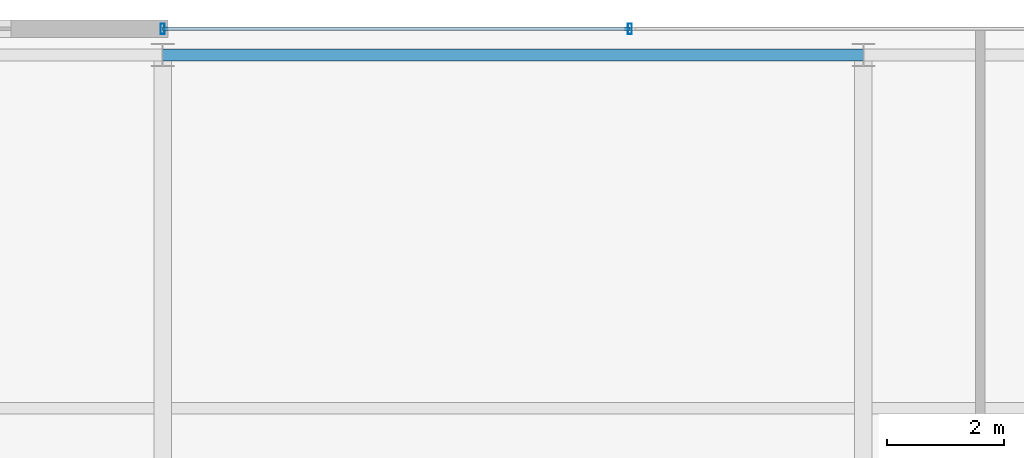
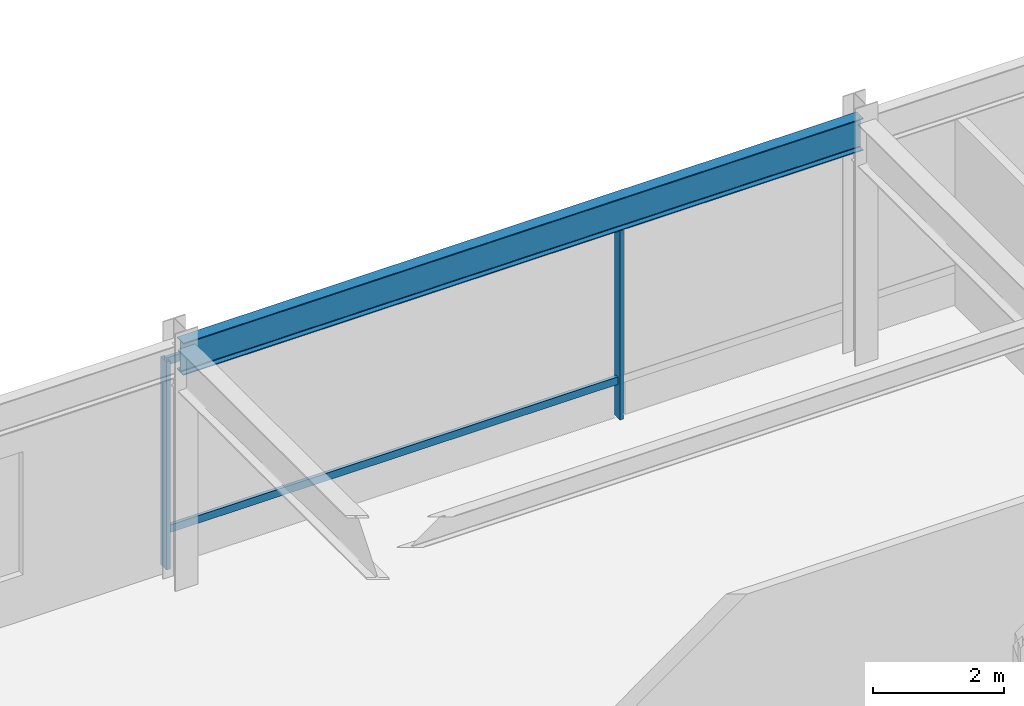
# One storey, part 14 of 26: 4 members, 1 beam, 1 element without a shape of its own.
"""IFC4 building model written with IfcOpenShell, lengths in metres."""

import ifcopenshell
import ifcopenshell.guid

model = None  # the IFC model being written
_history = None  # IfcOwnerHistory: only IFC2X3 demands one
_inside = {}  # id of a spatial element -> (the spatial element, [elements in it])
_under = {}  # id of a project, library or spatial element -> (it, [spatial elements below it])
_declared = {}  # id of a project -> (the project, [libraries it declares])
_typed = {}  # id of a type object -> (the type object, [elements of that type])
_made_of = {}  # id of a material, layer set ... -> (it, [elements and type objects made of it])


def new_model(schema):
    """Start an empty IFC model of exactly this schema.

    Asked for "IFC4X3", IfcOpenShell would pick the latest addendum, in which some entities
    have other attributes; the version numbers below select the first issue.
    IFC2X3 requires an IfcOwnerHistory on every rooted entity: one is made here for all.
    """
    global model, _history
    if schema == "IFC4X3":
        model = ifcopenshell.file(schema_version=(4, 3, 0, 0))
    else:
        model = ifcopenshell.file(schema=schema)
    _inside.clear()
    _under.clear()
    _declared.clear()
    _typed.clear()
    _made_of.clear()
    _history = None
    if model.schema == "IFC2X3":
        org = make("IfcOrganization", Name="unknown")
        user = make(
            "IfcPersonAndOrganization",
            ThePerson=make("IfcPerson", FamilyName="unknown"),
            TheOrganization=org,
        )
        app = make(
            "IfcApplication",
            ApplicationDeveloper=org,
            Version="unknown",
            ApplicationFullName="unknown",
            ApplicationIdentifier="unknown",
        )
        _history = make(
            "IfcOwnerHistory",
            OwningUser=user,
            OwningApplication=app,
            ChangeAction="ADDED",
            CreationDate=0,
        )
    return model


def make(cls, **values):
    """One entity of the class cls with the attributes given. An attribute that is None is left unset."""
    return model.create_entity(
        cls, **{name: value for name, value in values.items() if value is not None}
    )


def rooted(cls, **values):
    """An entity with a GlobalId (a new one), such as an element, a storey or a relation."""
    return make(cls, GlobalId=ifcopenshell.guid.new(), OwnerHistory=_history, **values)


def si_unit(unit_type, name, prefix=None):
    """IfcSIUnit, for example si_unit("LENGTHUNIT", "METRE", prefix="MILLI")."""
    return make("IfcSIUnit", UnitType=unit_type, Prefix=prefix, Name=name)


def assignment(units):
    """IfcUnitAssignment: the units of a project."""
    return None if units is None else make("IfcUnitAssignment", Units=units)


def point(xyz):
    """IfcCartesianPoint."""
    return None if xyz is None else make("IfcCartesianPoint", Coordinates=xyz)


def direction(xyz):
    """IfcDirection."""
    return None if xyz is None else make("IfcDirection", DirectionRatios=xyz)


def frame(location, z_axis=None, x_axis=None):
    """IfcAxis2Placement3D, a coordinate frame: its origin and axes. An axis left out is left unset."""
    return make(
        "IfcAxis2Placement3D",
        Location=point(location),
        Axis=direction(z_axis),
        RefDirection=direction(x_axis),
    )


def frame_2d(location, x_axis=None):
    """IfcAxis2Placement2D, a coordinate frame in the plane: its origin and x axis."""
    return make(
        "IfcAxis2Placement2D", Location=point(location), RefDirection=direction(x_axis)
    )


def origin():
    """The frame at (0, 0, 0) with its axes left unset."""
    return frame((0.0, 0.0, 0.0))


def origin_2d():
    """The frame at (0, 0) in the plane with its x axis left unset."""
    return frame_2d((0.0, 0.0))


def place(relative_to, where):
    """IfcLocalPlacement: puts the frame where relative to a parent placement (None: the world)."""
    return make(
        "IfcLocalPlacement", PlacementRelTo=relative_to, RelativePlacement=where
    )


def context(
    kind, dimensions, precision=None, world=None, true_north=None, identifier=None
):
    """IfcGeometricRepresentationContext, for example the 3D "Model" context."""
    return make(
        "IfcGeometricRepresentationContext",
        ContextIdentifier=identifier,
        ContextType=kind,
        CoordinateSpaceDimension=dimensions,
        Precision=precision,
        WorldCoordinateSystem=world,
        TrueNorth=true_north,
    )


def subcontext(parent, identifier, kind, view, scale=None):
    """IfcGeometricRepresentationSubContext, for example "Body" below "Model"."""
    return make(
        "IfcGeometricRepresentationSubContext",
        ContextIdentifier=identifier,
        ContextType=kind,
        ParentContext=parent,
        TargetScale=scale,
        TargetView=view,
    )


def project(units=None, contexts=None):
    """IfcProject with its units and contexts."""
    return rooted(
        "IfcProject",
        Name="project",
        RepresentationContexts=contexts,
        UnitsInContext=assignment(units),
    )


def spatial(cls, under=None, at=None, **own):
    """A site, building, storey or space (cls), placed at a placement, below another one or the project."""
    s = rooted(cls, ObjectPlacement=at, **own)
    if under is not None:
        _under.setdefault(under.id(), (under, []))[1].append(s)
    return s


def profile(cls, at=None, kind="AREA", **sizes):
    """A parametric profile (cls). Its sizes go by their IFC names, for example OverallWidth=200.0."""
    return make(cls, ProfileType=kind, Position=at, **sizes)


def hollow_rectangle(**sizes):
    """IfcRectangleHollowProfileDef."""
    return profile("IfcRectangleHollowProfileDef", **sizes)


def i_section(**sizes):
    """IfcIShapeProfileDef."""
    return profile("IfcIShapeProfileDef", **sizes)


def extrude(swept, where, along, depth):
    """IfcExtrudedAreaSolid: the profile swept, set in the frame where, extruded along a direction by depth."""
    return make(
        "IfcExtrudedAreaSolid",
        SweptArea=swept,
        Position=where,
        ExtrudedDirection=direction(along),
        Depth=depth,
    )


def shape(context_of_items, identifier, shape_type, items):
    """IfcShapeRepresentation: the items that make up one representation, for example the "Body"."""
    return make(
        "IfcShapeRepresentation",
        ContextOfItems=context_of_items,
        RepresentationIdentifier=identifier,
        RepresentationType=shape_type,
        Items=items,
    )


def material(Name=None, Category=None):
    """IfcMaterial."""
    return make("IfcMaterial", Name=Name, Category=Category)


def layer(
    of_material, thickness, ventilated=None, Name=None, Category=None, Priority=None
):
    """IfcMaterialLayer: one layer of a wall or slab, of a material (None: an air gap)."""
    return make(
        "IfcMaterialLayer",
        Material=of_material,
        LayerThickness=thickness,
        IsVentilated=ventilated,
        Name=Name,
        Category=Category,
        Priority=Priority,
    )


def layer_set(layers, Name=None):
    """IfcMaterialLayerSet."""
    return make("IfcMaterialLayerSet", MaterialLayers=layers, LayerSetName=Name)


def material_profile(
    of_material, cross_section, Name=None, Category=None, Priority=None
):
    """IfcMaterialProfile: a cross section and its material."""
    return make(
        "IfcMaterialProfile",
        Name=Name,
        Material=of_material,
        Profile=cross_section,
        Priority=Priority,
        Category=Category,
    )


def profile_set(profiles, Name=None, composite=None):
    """IfcMaterialProfileSet."""
    return make(
        "IfcMaterialProfileSet",
        Name=Name,
        MaterialProfiles=profiles,
        CompositeProfile=composite,
    )


def made_of(thing, what):
    """Note that an element or type object is made of a material, layer set ...; save() writes the relation."""
    if what is not None:
        _made_of.setdefault(what.id(), (what, []))[1].append(thing)
    return thing


def type_object(cls, material=None, **own):
    """A type object (cls), such as IfcWallType, which elements share."""
    return made_of(rooted(cls, **own), material)


def element(
    cls,
    number,
    at=None,
    inside=None,
    cuts=None,
    type_object=None,
    material=None,
    context=None,
    identifier="Body",
    shape_type=None,
    held_by="IfcProductDefinitionShape",
    body=None,
    shapes=None,
    **own,
):
    """One element of the class cls, such as IfcWall. Its Tag is "e" and its number.

    at: its placement. inside: the storey or other place that contains it. cuts: it is an
    opening in that element (IfcRelVoidsElement). A single representation is given by context,
    identifier, shape_type and body (its items); several are given by shapes. held_by: the class
    of the entity that holds the representations. save() writes the other relations.
    """
    e = rooted(cls, Tag="e%d" % number, ObjectPlacement=at, **own)
    if body is not None:
        shapes = [shape(context, identifier, shape_type, body)]
    if shapes is not None:
        e.Representation = make(held_by, Representations=shapes)
    if inside is not None:
        _inside.setdefault(inside.id(), (inside, []))[1].append(e)
    if cuts is not None:
        rooted(
            "IfcRelVoidsElement", RelatingBuildingElement=cuts, RelatedOpeningElement=e
        )
    if type_object is not None:
        _typed.setdefault(type_object.id(), (type_object, []))[1].append(e)
    return made_of(e, material)


def aggregate(whole, parts):
    """IfcRelAggregates: a whole, such as a stair, and the parts it consists of."""
    return rooted("IfcRelAggregates", RelatingObject=whole, RelatedObjects=parts)


def save(model, path):
    """Write the relations noted so far, then the file.

    IfcRelAggregates (storeys below a building ...), IfcRelContainedInSpatialStructure (elements
    in a storey), IfcRelDefinesByType, IfcRelAssociatesMaterial and IfcRelDeclares: one each for
    every whole, place, type object, material and project.
    """
    for whole, parts in _under.values():
        aggregate(whole, parts)
    for where, things in _inside.values():
        rooted(
            "IfcRelContainedInSpatialStructure",
            RelatedElements=things,
            RelatingStructure=where,
        )
    for kind, things in _typed.values():
        rooted("IfcRelDefinesByType", RelatedObjects=things, RelatingType=kind)
    for what, things in _made_of.values():
        rooted("IfcRelAssociatesMaterial", RelatedObjects=things, RelatingMaterial=what)
    for by, libraries in _declared.values():
        rooted("IfcRelDeclares", RelatingContext=by, RelatedDefinitions=libraries)
    model.write(path)


model = new_model("IFC4")

# Units and contexts
model_context = context("Model", 3, precision=1e-05, world=origin(), true_north=direction((0.0, 1.0)))
body_context = subcontext(model_context, "Body", "Model", "MODEL_VIEW")
ifc_project = project(units=[si_unit("LENGTHUNIT", "METRE"), si_unit("AREAUNIT", "SQUARE_METRE"), si_unit("VOLUMEUNIT", "CUBIC_METRE"), si_unit("PLANEANGLEUNIT", "RADIAN"), si_unit("MASSUNIT", "GRAM", prefix="KILO")], contexts=[model_context])

# Site, building, storey
site_placement = place(None, origin())
site = spatial("IfcSite", under=ifc_project, at=site_placement, CompositionType="ELEMENT")
building_placement = place(site_placement, origin())
building = spatial("IfcBuilding", under=site, at=building_placement, Name="Veldorina Hangang Commons", CompositionType="ELEMENT")
storey_placement = place(building_placement, frame((0.0, 0.0, 5.199951171875)))
storey = spatial("IfcBuildingStorey", under=building, at=storey_placement, Name="L01", CompositionType="ELEMENT", Elevation=5.199951171875)

# Beam
ifc_material_1 = material(Name="Steel SM420-TMC", Category="steel")
ifc_material_profile_1 = material_profile(ifc_material_1, i_section(OverallWidth=0.199951171875, OverallDepth=0.60009765625, WebThickness=0.010986328125, FlangeThickness=0.01708984375, FilletRadius=0.01806640625, at=origin_2d()), Name="H-600x200x11x17")
ifc_profile_set_1 = profile_set([ifc_material_profile_1], Name="Steel SM420-TMC")
beam_type = type_object("IfcBeamType", Name="BM-SPN600", PredefinedType="SPANDREL", material=ifc_profile_set_1)
beam_placement = place(storey_placement, frame((20.0, 44.550048828125, 4.199951171875), z_axis=(1.0, 0.0, 0.0), x_axis=(0.0, 1.0, 0.0)))
element("IfcBeam", 1, at=beam_placement, inside=storey, type_object=beam_type, Name="L01 north spandrel beam 3", PredefinedType="SPANDREL", context=body_context, shape_type="SweptSolid", body=[
    extrude(i_section(OverallWidth=0.199951171875, OverallDepth=0.60009765625, WebThickness=0.010986328125, FlangeThickness=0.01708984375, FilletRadius=0.01806640625, at=origin_2d()), origin(), (0.0, 0.0, 1.0), 12.0),
])

# Curtain wall, members
ifc_material_2 = material(Name="Glass Low-E Triple IGU", Category="glass")
ifc_layer = layer(ifc_material_2, 0.179931640625)
ifc_layer_set = layer_set([ifc_layer], Name="Glass Low-E Triple IGU")
curtain_wall_type = type_object("IfcCurtainWallType", Name="CW-SYS-POD", PredefinedType="NOTDEFINED", material=ifc_layer_set)
curtain_wall_placement = place(storey_placement, origin())
curtain_wall = element("IfcCurtainWall", 2, at=curtain_wall_placement, inside=storey, type_object=curtain_wall_type, Name="L01 unitised curtain wall CW-L01-N-CTR", PredefinedType="NOTDEFINED")
ifc_material_3 = material(Name="Aluminium Anodized AA6063-T6", Category="aluminium")
ifc_material_profile_2 = material_profile(ifc_material_3, hollow_rectangle(XDim=0.070068359375, YDim=0.179931640625, WallThickness=0.00390625, at=origin_2d()), Name="ALU-RHS-180x70x4")
ifc_profile_set_2 = profile_set([ifc_material_profile_2], Name="Aluminium Anodized AA6063-T6")
member_type_1 = type_object("IfcMemberType", Name="CW-MUL-180", PredefinedType="MULLION", material=ifc_profile_set_2)
member_1_placement = place(storey_placement, frame((28.0, 45.0, 0.0), z_axis=(0.0, 0.0, 1.0), x_axis=(-1.0, 0.0, 0.0)))
member_1 = element("IfcMember", 3, at=member_1_placement, type_object=member_type_1, Name="CW-L01-N-CTR vertical mullion 2", PredefinedType="MULLION", context=body_context, shape_type="SweptSolid", body=[
    extrude(hollow_rectangle(XDim=0.070068359375, YDim=0.179931640625, WallThickness=0.00390625, at=origin_2d()), origin(), (0.0, 0.0, 1.0), 3.880126953125),
])
member_2_placement = place(storey_placement, frame((20.0, 45.0, 0.0), z_axis=(0.0, 0.0, 1.0), x_axis=(1.0, 0.0, 0.0)))
member_2 = element("IfcMember", 4, at=member_2_placement, type_object=member_type_1, Name="CW-L01-N-CTR vertical mullion 3", PredefinedType="MULLION", context=body_context, shape_type="SweptSolid", body=[
    extrude(hollow_rectangle(XDim=0.070068359375, YDim=0.179931640625, WallThickness=0.00390625, at=origin_2d()), origin(), (0.0, 0.0, 1.0), 3.880126953125),
])
ifc_material_profile_3 = material_profile(ifc_material_3, hollow_rectangle(XDim=0.06005859375, YDim=0.139892578125, WallThickness=0.00341796875, at=origin_2d()), Name="ALU-RHS-140x60x3.5")
ifc_profile_set_3 = profile_set([ifc_material_profile_3], Name="Aluminium Anodized AA6063-T6")
member_type_2 = type_object("IfcMemberType", Name="CW-TRN-140", PredefinedType="USERDEFINED", material=ifc_profile_set_3)
member_3_placement = place(storey_placement, frame((28.0, 45.0, 0.699951171875), z_axis=(-1.0, 0.0, 0.0), x_axis=(0.0, -1.0, 0.0)))
member_3 = element("IfcMember", 5, at=member_3_placement, type_object=member_type_2, Name="CW-L01-N-CTR facet 3 transom 1", ObjectType="TRANSOM", PredefinedType="USERDEFINED", context=body_context, shape_type="SweptSolid", body=[
    extrude(hollow_rectangle(XDim=0.06005859375, YDim=0.139892578125, WallThickness=0.00341796875, at=origin_2d()), origin(), (0.0, 0.0, 1.0), 8.0),
])
member_4_placement = place(storey_placement, frame((28.0, 45.0, 3.840087890625), z_axis=(-1.0, 0.0, 0.0), x_axis=(0.0, -1.0, 0.0)))
member_4 = element("IfcMember", 6, at=member_4_placement, type_object=member_type_2, Name="CW-L01-N-CTR facet 3 transom 2", ObjectType="TRANSOM", PredefinedType="USERDEFINED", context=body_context, shape_type="SweptSolid", body=[
    extrude(hollow_rectangle(XDim=0.06005859375, YDim=0.139892578125, WallThickness=0.00341796875, at=origin_2d()), origin(), (0.0, 0.0, 1.0), 8.0),
])
aggregate(curtain_wall, [member_1, member_2, member_3, member_4])

save(model, "model.ifc")
